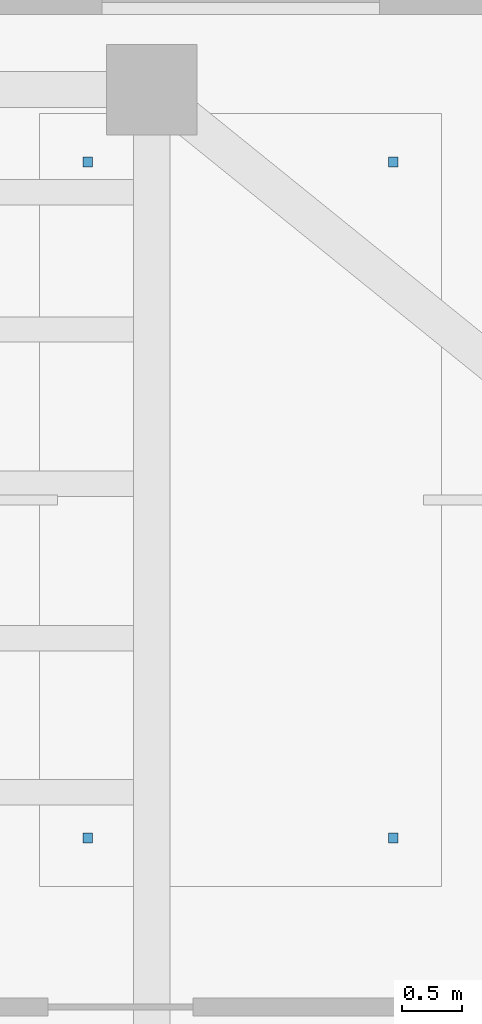
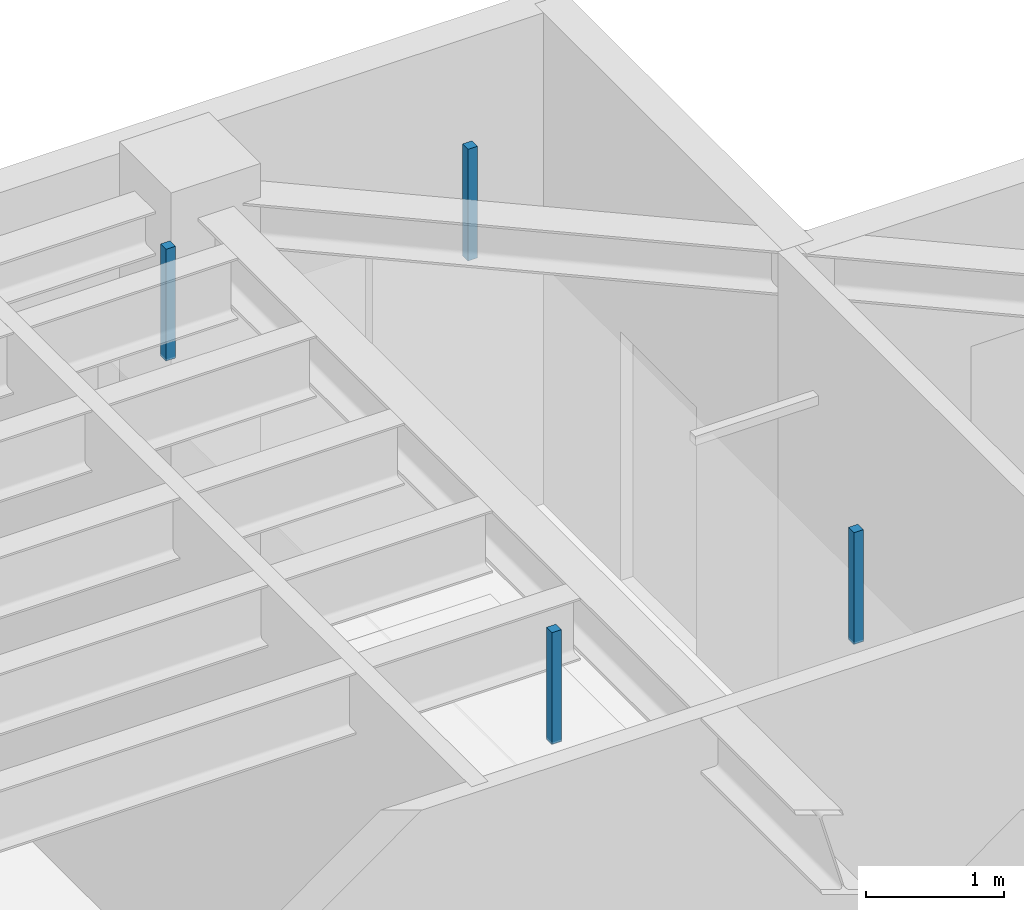
# One storey, part 30 of 34: 4 discrete accessories.
"""IFC4 building model written with IfcOpenShell, lengths in metres."""

from ifc_helpers import new_model, si_unit, direction, frame, origin, origin_2d, place, context, subcontext, project, spatial, rectangle, extrude, material, type_object, element, save


model = new_model("IFC4")

# Units and contexts
model_context = context("Model", 3, precision=1e-05, world=origin(), true_north=direction((0.0, 1.0)))
body_context = subcontext(model_context, "Body", "Model", "MODEL_VIEW")
ifc_project = project(units=[si_unit("LENGTHUNIT", "METRE"), si_unit("AREAUNIT", "SQUARE_METRE"), si_unit("VOLUMEUNIT", "CUBIC_METRE"), si_unit("PLANEANGLEUNIT", "RADIAN"), si_unit("MASSUNIT", "GRAM", prefix="KILO")], contexts=[model_context])

# Site, building, storey
site_placement = place(None, origin())
site = spatial("IfcSite", under=ifc_project, at=site_placement, CompositionType="ELEMENT")
building_placement = place(site_placement, origin())
building = spatial("IfcBuilding", under=site, at=building_placement, Name="Tarnavaz Court Tower", CompositionType="ELEMENT")
storey_placement = place(building_placement, frame((0.0, 0.0, 231.75)))
storey = spatial("IfcBuildingStorey", under=building, at=storey_placement, Name="L63", CompositionType="ELEMENT", Elevation=231.75)

# Discrete accessories
ifc_material = material(Name="Anodised Aluminium 6063-T6", Category="aluminium")
discrete_accessory_type = type_object("IfcDiscreteAccessoryType", Name="DA-BRKT-ALU", PredefinedType="BRACKET", material=ifc_material)
for number, where, z_axis, x_axis, name in (
    (1, (14.469970703125, 13.89990234375, 3.39013671875), (0.0, 0.0, 1.0), (1.0, 0.0, 0.0), "L63 Ceiling Suspension Hanger Bracket 03-1"),
    (2, (17.0, 13.89990234375, 3.39013671875), (0.0, 0.0, 1.0), (1.0, 0.0, 0.0), "L63 Ceiling Suspension Hanger Bracket 03-2"),
    (3, (17.0, 19.5, 3.39013671875), (0.0, 0.0, 1.0), (1.0, 0.0, 0.0), "L63 Ceiling Suspension Hanger Bracket 03-3"),
    (4, (14.469970703125, 19.5, 3.39013671875), (0.0, 0.0, 1.0), (1.0, 0.0, 0.0), "L63 Ceiling Suspension Hanger Bracket 03-4"),
):
    element("IfcDiscreteAccessory", number, at=place(storey_placement, frame(where, z_axis=z_axis, x_axis=x_axis)), inside=storey, type_object=discrete_accessory_type, Name=name, PredefinedType="BRACKET", context=body_context, shape_type="SweptSolid", body=[
        extrude(rectangle(XDim=0.080078125, YDim=0.080078125, at=origin_2d()), origin(), (0.0, 0.0, 1.0), 0.989990234375),
    ])

save(model, "model.ifc")
